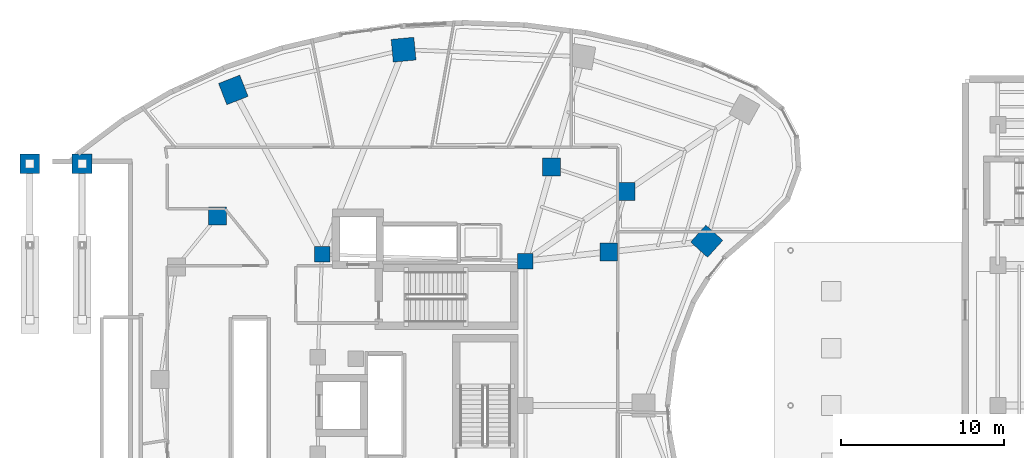
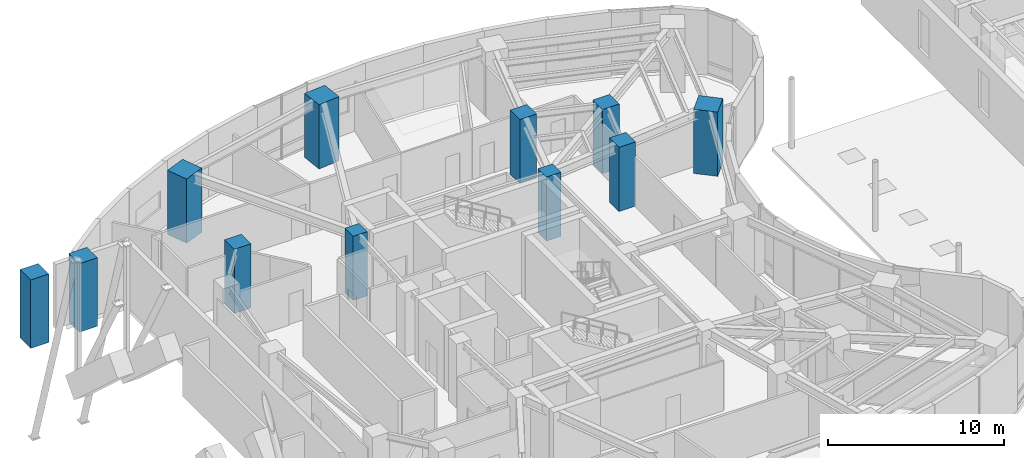
# One storey, part 3 of 24: 11 columns.
"""IFC4 building model written with IfcOpenShell, lengths in metres."""

import ifcopenshell
import ifcopenshell.guid

model = None  # the IFC model being written
_history = None  # IfcOwnerHistory: only IFC2X3 demands one
_inside = {}  # id of a spatial element -> (the spatial element, [elements in it])
_under = {}  # id of a project, library or spatial element -> (it, [spatial elements below it])
_declared = {}  # id of a project -> (the project, [libraries it declares])
_typed = {}  # id of a type object -> (the type object, [elements of that type])
_made_of = {}  # id of a material, layer set ... -> (it, [elements and type objects made of it])


def new_model(schema):
    """Start an empty IFC model of exactly this schema.

    Asked for "IFC4X3", IfcOpenShell would pick the latest addendum, in which some entities
    have other attributes; the version numbers below select the first issue.
    IFC2X3 requires an IfcOwnerHistory on every rooted entity: one is made here for all.
    """
    global model, _history
    if schema == "IFC4X3":
        model = ifcopenshell.file(schema_version=(4, 3, 0, 0))
    else:
        model = ifcopenshell.file(schema=schema)
    _inside.clear()
    _under.clear()
    _declared.clear()
    _typed.clear()
    _made_of.clear()
    _history = None
    if model.schema == "IFC2X3":
        org = make("IfcOrganization", Name="unknown")
        user = make(
            "IfcPersonAndOrganization",
            ThePerson=make("IfcPerson", FamilyName="unknown"),
            TheOrganization=org,
        )
        app = make(
            "IfcApplication",
            ApplicationDeveloper=org,
            Version="unknown",
            ApplicationFullName="unknown",
            ApplicationIdentifier="unknown",
        )
        _history = make(
            "IfcOwnerHistory",
            OwningUser=user,
            OwningApplication=app,
            ChangeAction="ADDED",
            CreationDate=0,
        )
    return model


def make(cls, **values):
    """One entity of the class cls with the attributes given. An attribute that is None is left unset."""
    return model.create_entity(
        cls, **{name: value for name, value in values.items() if value is not None}
    )


def rooted(cls, **values):
    """An entity with a GlobalId (a new one), such as an element, a storey or a relation."""
    return make(cls, GlobalId=ifcopenshell.guid.new(), OwnerHistory=_history, **values)


def si_unit(unit_type, name, prefix=None):
    """IfcSIUnit, for example si_unit("LENGTHUNIT", "METRE", prefix="MILLI")."""
    return make("IfcSIUnit", UnitType=unit_type, Prefix=prefix, Name=name)


def assignment(units):
    """IfcUnitAssignment: the units of a project."""
    return None if units is None else make("IfcUnitAssignment", Units=units)


def point(xyz):
    """IfcCartesianPoint."""
    return None if xyz is None else make("IfcCartesianPoint", Coordinates=xyz)


def direction(xyz):
    """IfcDirection."""
    return None if xyz is None else make("IfcDirection", DirectionRatios=xyz)


def frame(location, z_axis=None, x_axis=None):
    """IfcAxis2Placement3D, a coordinate frame: its origin and axes. An axis left out is left unset."""
    return make(
        "IfcAxis2Placement3D",
        Location=point(location),
        Axis=direction(z_axis),
        RefDirection=direction(x_axis),
    )


def frame_2d(location, x_axis=None):
    """IfcAxis2Placement2D, a coordinate frame in the plane: its origin and x axis."""
    return make(
        "IfcAxis2Placement2D", Location=point(location), RefDirection=direction(x_axis)
    )


def origin():
    """The frame at (0, 0, 0) with its axes left unset."""
    return frame((0.0, 0.0, 0.0))


def origin_2d():
    """The frame at (0, 0) in the plane with its x axis left unset."""
    return frame_2d((0.0, 0.0))


def place(relative_to, where):
    """IfcLocalPlacement: puts the frame where relative to a parent placement (None: the world)."""
    return make(
        "IfcLocalPlacement", PlacementRelTo=relative_to, RelativePlacement=where
    )


def context(
    kind, dimensions, precision=None, world=None, true_north=None, identifier=None
):
    """IfcGeometricRepresentationContext, for example the 3D "Model" context."""
    return make(
        "IfcGeometricRepresentationContext",
        ContextIdentifier=identifier,
        ContextType=kind,
        CoordinateSpaceDimension=dimensions,
        Precision=precision,
        WorldCoordinateSystem=world,
        TrueNorth=true_north,
    )


def subcontext(parent, identifier, kind, view, scale=None):
    """IfcGeometricRepresentationSubContext, for example "Body" below "Model"."""
    return make(
        "IfcGeometricRepresentationSubContext",
        ContextIdentifier=identifier,
        ContextType=kind,
        ParentContext=parent,
        TargetScale=scale,
        TargetView=view,
    )


def project(units=None, contexts=None):
    """IfcProject with its units and contexts."""
    return rooted(
        "IfcProject",
        Name="project",
        RepresentationContexts=contexts,
        UnitsInContext=assignment(units),
    )


def spatial(cls, under=None, at=None, **own):
    """A site, building, storey or space (cls), placed at a placement, below another one or the project."""
    s = rooted(cls, ObjectPlacement=at, **own)
    if under is not None:
        _under.setdefault(under.id(), (under, []))[1].append(s)
    return s


def profile(cls, at=None, kind="AREA", **sizes):
    """A parametric profile (cls). Its sizes go by their IFC names, for example OverallWidth=200.0."""
    return make(cls, ProfileType=kind, Position=at, **sizes)


def rectangle(**sizes):
    """IfcRectangleProfileDef."""
    return profile("IfcRectangleProfileDef", **sizes)


def extrude(swept, where, along, depth):
    """IfcExtrudedAreaSolid: the profile swept, set in the frame where, extruded along a direction by depth."""
    return make(
        "IfcExtrudedAreaSolid",
        SweptArea=swept,
        Position=where,
        ExtrudedDirection=direction(along),
        Depth=depth,
    )


def shape(context_of_items, identifier, shape_type, items):
    """IfcShapeRepresentation: the items that make up one representation, for example the "Body"."""
    return make(
        "IfcShapeRepresentation",
        ContextOfItems=context_of_items,
        RepresentationIdentifier=identifier,
        RepresentationType=shape_type,
        Items=items,
    )


def material(Name=None, Category=None):
    """IfcMaterial."""
    return make("IfcMaterial", Name=Name, Category=Category)


def material_profile(
    of_material, cross_section, Name=None, Category=None, Priority=None
):
    """IfcMaterialProfile: a cross section and its material."""
    return make(
        "IfcMaterialProfile",
        Name=Name,
        Material=of_material,
        Profile=cross_section,
        Priority=Priority,
        Category=Category,
    )


def profile_set(profiles, Name=None, composite=None):
    """IfcMaterialProfileSet."""
    return make(
        "IfcMaterialProfileSet",
        Name=Name,
        MaterialProfiles=profiles,
        CompositeProfile=composite,
    )


def made_of(thing, what):
    """Note that an element or type object is made of a material, layer set ...; save() writes the relation."""
    if what is not None:
        _made_of.setdefault(what.id(), (what, []))[1].append(thing)
    return thing


def type_object(cls, material=None, **own):
    """A type object (cls), such as IfcWallType, which elements share."""
    return made_of(rooted(cls, **own), material)


def element(
    cls,
    number,
    at=None,
    inside=None,
    cuts=None,
    type_object=None,
    material=None,
    context=None,
    identifier="Body",
    shape_type=None,
    held_by="IfcProductDefinitionShape",
    body=None,
    shapes=None,
    **own,
):
    """One element of the class cls, such as IfcWall. Its Tag is "e" and its number.

    at: its placement. inside: the storey or other place that contains it. cuts: it is an
    opening in that element (IfcRelVoidsElement). A single representation is given by context,
    identifier, shape_type and body (its items); several are given by shapes. held_by: the class
    of the entity that holds the representations. save() writes the other relations.
    """
    e = rooted(cls, Tag="e%d" % number, ObjectPlacement=at, **own)
    if body is not None:
        shapes = [shape(context, identifier, shape_type, body)]
    if shapes is not None:
        e.Representation = make(held_by, Representations=shapes)
    if inside is not None:
        _inside.setdefault(inside.id(), (inside, []))[1].append(e)
    if cuts is not None:
        rooted(
            "IfcRelVoidsElement", RelatingBuildingElement=cuts, RelatedOpeningElement=e
        )
    if type_object is not None:
        _typed.setdefault(type_object.id(), (type_object, []))[1].append(e)
    return made_of(e, material)


def aggregate(whole, parts):
    """IfcRelAggregates: a whole, such as a stair, and the parts it consists of."""
    return rooted("IfcRelAggregates", RelatingObject=whole, RelatedObjects=parts)


def save(model, path):
    """Write the relations noted so far, then the file.

    IfcRelAggregates (storeys below a building ...), IfcRelContainedInSpatialStructure (elements
    in a storey), IfcRelDefinesByType, IfcRelAssociatesMaterial and IfcRelDeclares: one each for
    every whole, place, type object, material and project.
    """
    for whole, parts in _under.values():
        aggregate(whole, parts)
    for where, things in _inside.values():
        rooted(
            "IfcRelContainedInSpatialStructure",
            RelatedElements=things,
            RelatingStructure=where,
        )
    for kind, things in _typed.values():
        rooted("IfcRelDefinesByType", RelatedObjects=things, RelatingType=kind)
    for what, things in _made_of.values():
        rooted("IfcRelAssociatesMaterial", RelatedObjects=things, RelatingMaterial=what)
    for by, libraries in _declared.values():
        rooted("IfcRelDeclares", RelatingContext=by, RelatedDefinitions=libraries)
    model.write(path)


model = new_model("IFC4")

# Units and contexts
model_context = context("Model", 3, precision=1e-05, world=origin(), true_north=direction((0.0, 1.0)))
body_context = subcontext(model_context, "Body", "Model", "MODEL_VIEW")
ifc_project = project(units=[si_unit("LENGTHUNIT", "METRE"), si_unit("AREAUNIT", "SQUARE_METRE"), si_unit("VOLUMEUNIT", "CUBIC_METRE"), si_unit("PLANEANGLEUNIT", "RADIAN"), si_unit("MASSUNIT", "GRAM", prefix="KILO")], contexts=[model_context])

# Site, building, storey
site_placement = place(None, origin())
site = spatial("IfcSite", under=ifc_project, at=site_placement, CompositionType="ELEMENT")
building_placement = place(site_placement, origin())
building = spatial("IfcBuilding", under=site, at=building_placement, Name="Korentha Bioscience Tower", CompositionType="ELEMENT")
storey_placement = place(building_placement, frame((0.0, 0.0, 10.199951171875)))
storey = spatial("IfcBuildingStorey", under=building, at=storey_placement, Name="L02", CompositionType="ELEMENT", Elevation=10.199951171875)

# Columns
ifc_material_1 = material(Name="Concrete C65", Category="concrete")
ifc_material_profile_1 = material_profile(ifc_material_1, rectangle(XDim=0.949951171875, YDim=0.949951171875, at=origin_2d()), Name="Concrete C65")
ifc_profile_set_1 = profile_set([ifc_material_profile_1], Name="Concrete C65 (COL-CP09)")
column_type_1 = type_object("IfcColumnType", Name="Core Pilaster Column RC 950x950", PredefinedType="PILASTER", material=ifc_profile_set_1)
for number, where, z_axis, x_axis, name in (
    (1, (37.550048828125, 35.85009765625, -0.00048828125), (0.0, 0.0, 1.0), (1.0, 0.0, 0.0), "L02 Core Pilaster CP-01"),
    (2, (25.10009765625, 36.25, -0.00048828125), (0.0, 0.0, 1.0), (1.0, 0.0, 0.0), "L02 Core Pilaster CP-02"),
):
    element("IfcColumn", number, at=place(storey_placement, frame(where, z_axis=z_axis, x_axis=x_axis)), inside=storey, type_object=column_type_1, Name=name, PredefinedType="PILASTER", context=body_context, shape_type="SweptSolid", body=[
        extrude(rectangle(XDim=0.949951171875, YDim=0.949951171875, at=origin_2d()), origin(), (0.0, 0.0, 1.0), 4.450927734375),
    ])
ifc_material_2 = material(Name="Concrete C80", Category="concrete")
ifc_material_profile_2 = material_profile(ifc_material_2, rectangle(XDim=1.10009765625, YDim=1.10009765625, at=origin_2d()), Name="Concrete C80")
ifc_profile_set_2 = profile_set([ifc_material_profile_2], Name="Concrete C80 (COL-MR11)")
column_type_2 = type_object("IfcColumnType", Name="Mid-Ring Lab Column RC 1100x1100", PredefinedType="COLUMN", material=ifc_profile_set_2)
for number, where, z_axis, x_axis, name in (
    (3, (43.7265625, 40.121337890625, -0.00048828125), (0.0, 0.0, 1.0), (1.0, 0.0, 0.0), "L02 Mid-Ring Column 01"),
    (4, (39.1611328125, 41.607666015625, -0.00048828125), (0.0, 0.0, 1.0), (1.0, 0.0, 0.0), "L02 Mid-Ring Column 02"),
    (5, (18.692138671875, 38.5947265625, -0.00048828125), (0.0, 0.0, 1.0), (1.0, 0.0, 0.0), "L02 Mid-Ring Column 05"),
    (6, (42.66162109375, 36.406982421875, -0.00048828125), (0.0, 0.0, 1.0), (1.0, 0.0, 0.0), "L02 Mid-Ring Column 16"),
):
    element("IfcColumn", number, at=place(storey_placement, frame(where, z_axis=z_axis, x_axis=x_axis)), inside=storey, type_object=column_type_2, Name=name, PredefinedType="COLUMN", context=body_context, shape_type="SweptSolid", body=[
        extrude(rectangle(XDim=1.10009765625, YDim=1.10009765625, at=origin_2d()), origin(), (0.0, 0.0, 1.0), 4.450927734375),
    ])
ifc_material_profile_3 = material_profile(ifc_material_2, rectangle(XDim=1.199951171875, YDim=1.199951171875, at=origin_2d()), Name="Concrete C80")
ifc_profile_set_3 = profile_set([ifc_material_profile_3], Name="Concrete C80 (COL-P12)")
column_type_3 = type_object("IfcColumnType", Name="Perimeter Column RC 1200x1200", PredefinedType="COLUMN", material=ifc_profile_set_3)
for number, where, z_axis, x_axis, name in (
    (7, (7.199951171875, 41.800048828125, -0.300048828125), (0.0, 0.0, 1.0), (1.0, 0.0, 0.0), "L02 Arch End Pier 1-N"),
    (8, (10.39990234375, 41.800048828125, -0.300048828125), (0.0, 0.0, 1.0), (1.0, 0.0, 0.0), "L02 Arch End Pier 2-N"),
):
    element("IfcColumn", number, at=place(storey_placement, frame(where, z_axis=z_axis, x_axis=x_axis)), inside=storey, type_object=column_type_3, Name=name, PredefinedType="COLUMN", context=body_context, shape_type="SweptSolid", body=[
        extrude(rectangle(XDim=1.199951171875, YDim=1.199951171875, at=origin_2d()), origin(), (0.0, 0.0, 1.0), 4.75),
    ])
ifc_material_profile_4 = material_profile(ifc_material_2, rectangle(XDim=1.39990234375, YDim=1.39990234375, at=origin_2d()), Name="Concrete C80")
ifc_profile_set_4 = profile_set([ifc_material_profile_4], Name="Concrete C80 (COL-P14)")
column_type_4 = type_object("IfcColumnType", Name="Perimeter Column RC 1400x1400", PredefinedType="COLUMN", material=ifc_profile_set_4)
for number, where, z_axis, x_axis, name in (
    (9, (30.09423828125, 48.79248046875, -0.00048828125), (0.0, 0.0, 1.0), (0.995462868748, 0.095150811579, 0.0), "L02 Perimeter Column 03"),
    (10, (19.66650390625, 46.328857421875, -0.00048828125), (0.0, 0.0, 1.0), (0.930225540858, 0.366988341962, 0.0), "L02 Perimeter Column 04"),
    (11, (48.661865234375, 37.060791015625, -0.00048828125), (0.0, 0.0, 1.0), (0.669130606359, 0.743144825477, 0.0), "L02 Perimeter Column 16"),
):
    element("IfcColumn", number, at=place(storey_placement, frame(where, z_axis=z_axis, x_axis=x_axis)), inside=storey, type_object=column_type_4, Name=name, PredefinedType="COLUMN", context=body_context, shape_type="SweptSolid", body=[
        extrude(rectangle(XDim=1.39990234375, YDim=1.39990234375, at=origin_2d()), origin(), (0.0, 0.0, 1.0), 4.450927734375),
    ])

save(model, "model.ifc")
